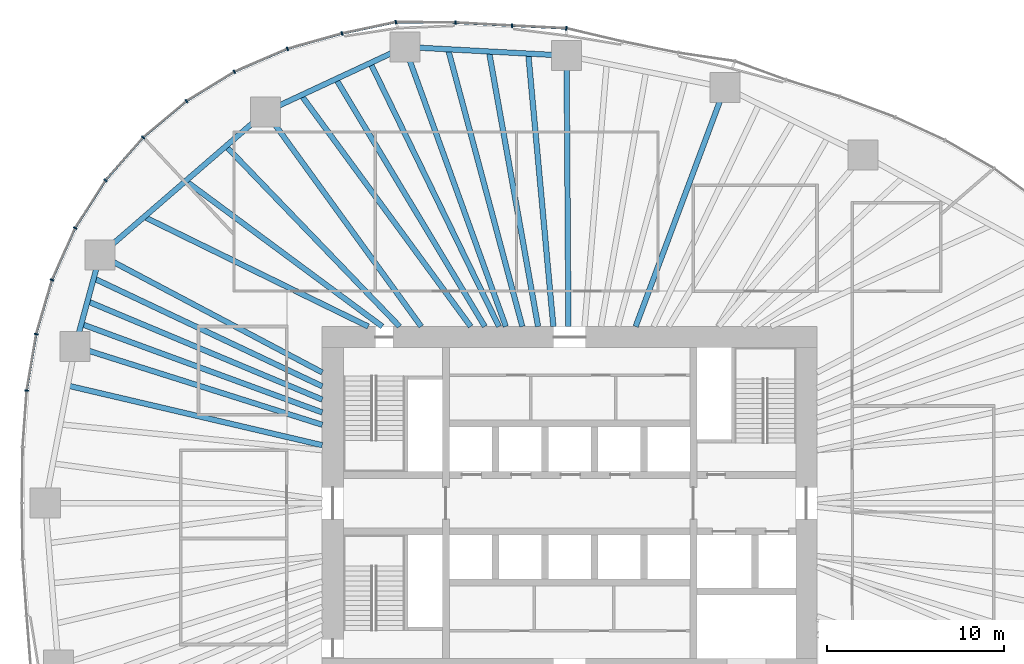
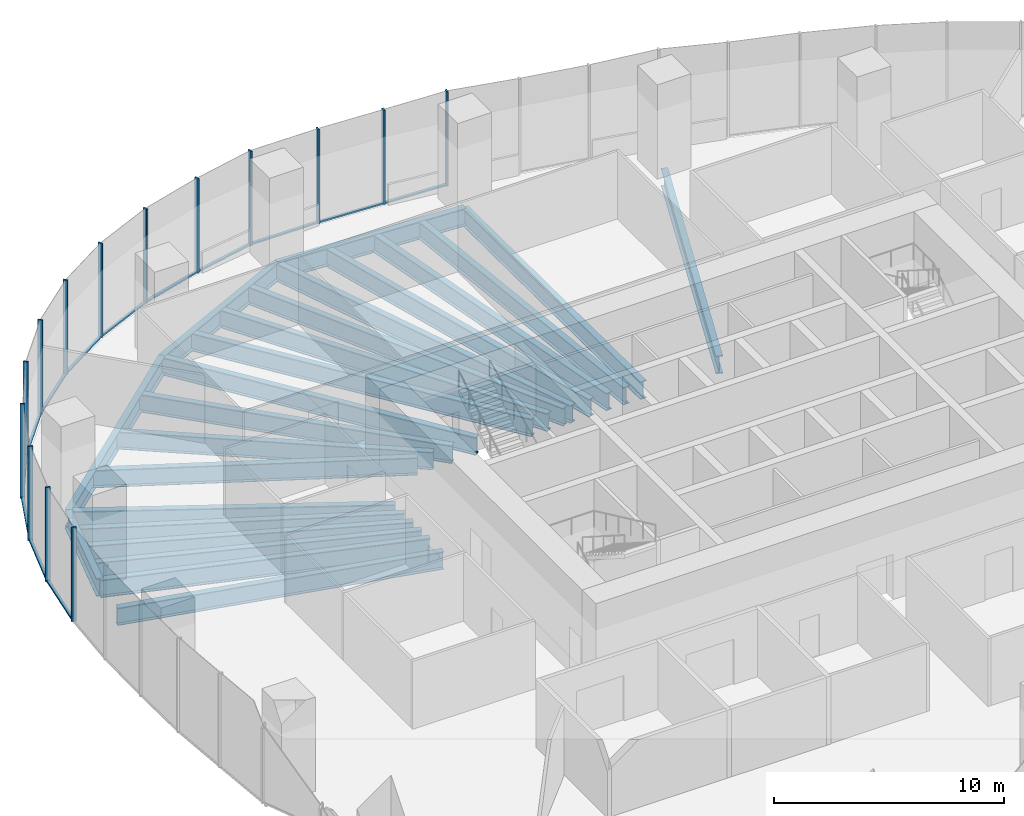
# One storey, part 5 of 20: 27 members, 23 beams, 5 elements without a shape of their own.
"""IFC4 building model written with IfcOpenShell, lengths in metres."""

from ifc_helpers import new_model, si_unit, direction, frame, origin, origin_2d, place, context, subcontext, project, spatial, rectangle, i_section, extrude, material, material_profile, profile_set, type_object, element, aggregate, save


model = new_model("IFC4")

# Units and contexts
model_context = context("Model", 3, precision=1e-05, world=origin(), true_north=direction((0.0, 1.0)))
body_context = subcontext(model_context, "Body", "Model", "MODEL_VIEW")
ifc_project = project(units=[si_unit("LENGTHUNIT", "METRE"), si_unit("AREAUNIT", "SQUARE_METRE"), si_unit("VOLUMEUNIT", "CUBIC_METRE"), si_unit("PLANEANGLEUNIT", "RADIAN"), si_unit("MASSUNIT", "GRAM", prefix="KILO")], contexts=[model_context])

# Site, building, storey
site_placement = place(None, origin())
site = spatial("IfcSite", under=ifc_project, at=site_placement, CompositionType="ELEMENT")
building_placement = place(site_placement, origin())
building = spatial("IfcBuilding", under=site, at=building_placement, Name="Ghaith Harvest Tower", CompositionType="ELEMENT")
storey_placement = place(building_placement, frame((0.0, 0.0, 65.0)))
storey = spatial("IfcBuildingStorey", under=building, at=storey_placement, Name="L13", CompositionType="ELEMENT", Elevation=65.0)

# Curtain wall, members
ifc_material_1 = material(Name="Black anodised aluminium and fritted glass", Category="aluminium")
curtain_wall_type = type_object("IfcCurtainWallType", Name="CW-F CURTAIN WALL", PredefinedType="NOTDEFINED", material=ifc_material_1)
curtain_wall_1_placement = place(storey_placement, origin())
curtain_wall_1 = element("IfcCurtainWall", 1, at=curtain_wall_1_placement, inside=storey, type_object=curtain_wall_type, Name="Curtain wall CW-F bay 06 L13", PredefinedType="NOTDEFINED")
ifc_material_2 = material(Name="Aluminium, black anodised", Category="aluminium")
ifc_material_profile_1 = material_profile(ifc_material_2, rectangle(XDim=0.080078125, YDim=0.219970703125, at=origin_2d()), Name="CW-F MULLION 80x220")
ifc_profile_set_1 = profile_set([ifc_material_profile_1], Name="Aluminium, black anodised")
member_type_1 = type_object("IfcMemberType", Name="CW-F MULLION 80x220", PredefinedType="MULLION", material=ifc_profile_set_1)
member_1_placement = place(storey_placement, frame((-0.183837890625, 26.877197265625, 0.0), z_axis=(0.0, 0.0, 1.0), x_axis=(-0.98971187143, 0.143074845976, 0.0)))
member_1 = element("IfcMember", 2, at=member_1_placement, type_object=member_type_1, Name="CW-F mullion 1 bay 06 L13", PredefinedType="MULLION", context=body_context, shape_type="SweptSolid", body=[
    extrude(rectangle(XDim=0.080078125, YDim=0.219970703125, at=origin_2d()), origin(), (0.0, 0.0, 1.0), 5.0),
])
member_2_placement = place(storey_placement, frame((-3.261962890625, 27.02978515625, 0.0), z_axis=(0.0, 0.0, 1.0), x_axis=(-0.998666923291, 0.051617597049, 0.0)))
member_2 = element("IfcMember", 3, at=member_2_placement, type_object=member_type_1, Name="CW-F mullion 2 bay 06 L13", PredefinedType="MULLION", context=body_context, shape_type="SweptSolid", body=[
    extrude(rectangle(XDim=0.080078125, YDim=0.219970703125, at=origin_2d()), origin(), (0.0, 0.0, 1.0), 5.0),
])
member_3_placement = place(storey_placement, frame((-6.465087890625, 27.20166015625, 0.0), z_axis=(0.0, 0.0, 1.0), x_axis=(-0.999527102163, 0.030750155138, 0.0)))
member_3 = element("IfcMember", 4, at=member_3_placement, type_object=member_type_1, Name="CW-F mullion 3 bay 06 L13", PredefinedType="MULLION", context=body_context, shape_type="SweptSolid", body=[
    extrude(rectangle(XDim=0.080078125, YDim=0.219970703125, at=origin_2d()), origin(), (0.0, 0.0, 1.0), 5.0),
])

curtain_wall_2_placement = place(storey_placement, origin())
curtain_wall_2 = element("IfcCurtainWall", 5, at=curtain_wall_2_placement, inside=storey, type_object=curtain_wall_type, Name="Curtain wall CW-F bay 07 L13", PredefinedType="NOTDEFINED")
member_4_placement = place(storey_placement, frame((-9.835693359375, 27.232177734375, 0.0), z_axis=(0.0, 0.0, 1.0), x_axis=(-0.995408459337, -0.095718332001, 0.0)))
member_4 = element("IfcMember", 6, at=member_4_placement, type_object=member_type_1, Name="CW-F mullion 1 bay 07 L13", PredefinedType="MULLION", context=body_context, shape_type="SweptSolid", body=[
    extrude(rectangle(XDim=0.080078125, YDim=0.219970703125, at=origin_2d()), origin(), (0.0, 0.0, 1.0), 5.0),
])
member_5_placement = place(storey_placement, frame((-12.880615234375, 26.5849609375, 0.0), z_axis=(0.0, 0.0, 1.0), x_axis=(-0.970824511782, -0.239791091, 0.0)))
member_5 = element("IfcMember", 7, at=member_5_placement, type_object=member_type_1, Name="CW-F mullion 2 bay 07 L13", PredefinedType="MULLION", context=body_context, shape_type="SweptSolid", body=[
    extrude(rectangle(XDim=0.080078125, YDim=0.219970703125, at=origin_2d()), origin(), (0.0, 0.0, 1.0), 5.0),
])
member_6_placement = place(storey_placement, frame((-15.97119140625, 25.716552734375, 0.0), z_axis=(0.0, 0.0, 1.0), x_axis=(-0.942293550527, -0.334787790451, 0.0)))
member_6 = element("IfcMember", 8, at=member_6_placement, type_object=member_type_1, Name="CW-F mullion 3 bay 07 L13", PredefinedType="MULLION", context=body_context, shape_type="SweptSolid", body=[
    extrude(rectangle(XDim=0.080078125, YDim=0.219970703125, at=origin_2d()), origin(), (0.0, 0.0, 1.0), 5.0),
])

curtain_wall_3_placement = place(storey_placement, origin())
curtain_wall_3 = element("IfcCurtainWall", 9, at=curtain_wall_3_placement, inside=storey, type_object=curtain_wall_type, Name="Curtain wall CW-F bay 08 L13", PredefinedType="NOTDEFINED")
member_7_placement = place(storey_placement, frame((-18.96728515625, 24.42236328125, 0.0), z_axis=(0.0, 0.0, 1.0), x_axis=(-0.887912253252, -0.460012859086, 0.0)))
member_7 = element("IfcMember", 10, at=member_7_placement, type_object=member_type_1, Name="CW-F mullion 1 bay 08 L13", PredefinedType="MULLION", context=body_context, shape_type="SweptSolid", body=[
    extrude(rectangle(XDim=0.080078125, YDim=0.219970703125, at=origin_2d()), origin(), (0.0, 0.0, 1.0), 5.0),
])
member_8_placement = place(storey_placement, frame((-21.681640625, 22.758056640625, 0.0), z_axis=(0.0, 0.0, 1.0), x_axis=(-0.811400750439, -0.584490224202, 0.0)))
member_8 = element("IfcMember", 11, at=member_8_placement, type_object=member_type_1, Name="CW-F mullion 2 bay 08 L13", PredefinedType="MULLION", context=body_context, shape_type="SweptSolid", body=[
    extrude(rectangle(XDim=0.080078125, YDim=0.219970703125, at=origin_2d()), origin(), (0.0, 0.0, 1.0), 5.0),
])
member_9_placement = place(storey_placement, frame((-24.139404296875, 20.696533203125, 0.0), z_axis=(0.0, 0.0, 1.0), x_axis=(-0.714663248213, -0.699468685256, 0.0)))
member_9 = element("IfcMember", 12, at=member_9_placement, type_object=member_type_1, Name="CW-F mullion 3 bay 08 L13", PredefinedType="MULLION", context=body_context, shape_type="SweptSolid", body=[
    extrude(rectangle(XDim=0.080078125, YDim=0.219970703125, at=origin_2d()), origin(), (0.0, 0.0, 1.0), 5.0),
])

curtain_wall_4_placement = place(storey_placement, origin())
curtain_wall_4 = element("IfcCurtainWall", 13, at=curtain_wall_4_placement, inside=storey, type_object=curtain_wall_type, Name="Curtain wall CW-F bay 09 L13", PredefinedType="NOTDEFINED")
member_10_placement = place(storey_placement, frame((-26.26318359375, 18.274169921875, 0.0), z_axis=(0.0, 0.0, 1.0), x_axis=(-0.599861600644, -0.800103780814, 0.0)))
member_10 = element("IfcMember", 14, at=member_10_placement, type_object=member_type_1, Name="CW-F mullion 1 bay 09 L13", PredefinedType="MULLION", context=body_context, shape_type="SweptSolid", body=[
    extrude(rectangle(XDim=0.080078125, YDim=0.219970703125, at=origin_2d()), origin(), (0.0, 0.0, 1.0), 5.0),
])
member_11_placement = place(storey_placement, frame((-27.986328125, 15.5654296875, 0.0), z_axis=(0.0, 0.0, 1.0), x_axis=(-0.473265082758, -0.880920065297, 0.0)))
member_11 = element("IfcMember", 15, at=member_11_placement, type_object=member_type_1, Name="CW-F mullion 2 bay 09 L13", PredefinedType="MULLION", context=body_context, shape_type="SweptSolid", body=[
    extrude(rectangle(XDim=0.080078125, YDim=0.219970703125, at=origin_2d()), origin(), (0.0, 0.0, 1.0), 5.0),
])
member_12_placement = place(storey_placement, frame((-29.29248046875, 12.63525390625, 0.0), z_axis=(0.0, 0.0, 1.0), x_axis=(-0.344618322502, -0.938742889079, 0.0)))
member_12 = element("IfcMember", 16, at=member_12_placement, type_object=member_type_1, Name="CW-F mullion 3 bay 09 L13", PredefinedType="MULLION", context=body_context, shape_type="SweptSolid", body=[
    extrude(rectangle(XDim=0.080078125, YDim=0.219970703125, at=origin_2d()), origin(), (0.0, 0.0, 1.0), 5.0),
])

curtain_wall_5_placement = place(storey_placement, origin())
curtain_wall_5 = element("IfcCurtainWall", 17, at=curtain_wall_5_placement, inside=storey, type_object=curtain_wall_type, Name="Curtain wall CW-F bay 10 L13", PredefinedType="NOTDEFINED")
member_13_placement = place(storey_placement, frame((-30.1884765625, 9.567138671875, 0.0), z_axis=(0.0, 0.0, 1.0), x_axis=(-0.222967363645, -0.97482590997, 0.0)))
member_13 = element("IfcMember", 18, at=member_13_placement, type_object=member_type_1, Name="CW-F mullion 1 bay 10 L13", PredefinedType="MULLION", context=body_context, shape_type="SweptSolid", body=[
    extrude(rectangle(XDim=0.080078125, YDim=0.219970703125, at=origin_2d()), origin(), (0.0, 0.0, 1.0), 5.0),
])
member_14_placement = place(storey_placement, frame((-30.724365234375, 6.37548828125, 0.0), z_axis=(0.0, 0.0, 1.0), x_axis=(-0.119352816132, -0.99285190501, 0.0)))
member_14 = element("IfcMember", 19, at=member_14_placement, type_object=member_type_1, Name="CW-F mullion 2 bay 10 L13", PredefinedType="MULLION", context=body_context, shape_type="SweptSolid", body=[
    extrude(rectangle(XDim=0.080078125, YDim=0.219970703125, at=origin_2d()), origin(), (0.0, 0.0, 1.0), 5.0),
])

# Member
ifc_material_3 = material(Name="Aluminium, black anodised", Category="aluminium")
ifc_material_profile_2 = material_profile(ifc_material_3, rectangle(XDim=0.139892578125, YDim=0.080078125, at=origin_2d()), Name="CW-F TRANSOM 140x80")
ifc_profile_set_2 = profile_set([ifc_material_profile_2], Name="Aluminium, black anodised")
member_type_2 = type_object("IfcMemberType", Name="CW-F TRANSOM 140x80", PredefinedType="USERDEFINED", material=ifc_profile_set_2)
member_15_placement = place(storey_placement, frame((-0.223876953125, 26.879150390625, 0.0400390625), z_axis=(-0.998772539109, 0.049531960612, 0.0), x_axis=(-0.049531960612, -0.998772539109, 0.0)))
member_15 = element("IfcMember", 20, at=member_15_placement, type_object=member_type_2, Name="CW-F transom 1 bay 06 L13", ObjectType="TRANSOM", PredefinedType="USERDEFINED", context=body_context, shape_type="SweptSolid", body=[
    extrude(rectangle(XDim=0.139892578125, YDim=0.080078125, at=origin_2d()), origin(), (0.0, 0.0, 1.0), 3.001708984375),
])

member_16_placement = place(storey_placement, frame((-3.3017578125, 27.031982421875, 0.0400390625), z_axis=(-0.99856142387, 0.053619798202, 0.0), x_axis=(-0.053619798202, -0.99856142387, 0.0)))
member_16 = element("IfcMember", 21, at=member_16_placement, type_object=member_type_2, Name="CW-F transom 2 bay 06 L13", ObjectType="TRANSOM", PredefinedType="USERDEFINED", context=body_context, shape_type="SweptSolid", body=[
    extrude(rectangle(XDim=0.139892578125, YDim=0.080078125, at=origin_2d()), origin(), (0.0, 0.0, 1.0), 3.1279296875),
])

member_17_placement = place(storey_placement, frame((-6.505126953125, 27.2021484375, 0.0400390625), z_axis=(-0.999959703847, 0.008977231352, 0.0), x_axis=(-0.008977231352, -0.999959703847, 0.0)))
member_17 = element("IfcMember", 22, at=member_17_placement, type_object=member_type_2, Name="CW-F transom 3 bay 06 L13", ObjectType="TRANSOM", PredefinedType="USERDEFINED", context=body_context, shape_type="SweptSolid", body=[
    extrude(rectangle(XDim=0.139892578125, YDim=0.080078125, at=origin_2d()), origin(), (0.0, 0.0, 1.0), 3.290771484375),
])

aggregate(curtain_wall_1, [member_1, member_15, member_2, member_16, member_3, member_17])

member_18_placement = place(storey_placement, frame((-9.874755859375, 27.2236328125, 0.0400390625), z_axis=(-0.978160283029, -0.207852016359, 0.0), x_axis=(0.207852016359, -0.978160283029, 0.0)))
member_18 = element("IfcMember", 23, at=member_18_placement, type_object=member_type_2, Name="CW-F transom 1 bay 07 L13", ObjectType="TRANSOM", PredefinedType="USERDEFINED", context=body_context, shape_type="SweptSolid", body=[
    extrude(rectangle(XDim=0.139892578125, YDim=0.080078125, at=origin_2d()), origin(), (0.0, 0.0, 1.0), 3.03271484375),
])

member_19_placement = place(storey_placement, frame((-12.9189453125, 26.573974609375, 0.0400390625), z_axis=(-0.962727128991, -0.270474536888, 0.0), x_axis=(0.270474536888, -0.962727128991, 0.0)))
member_19 = element("IfcMember", 24, at=member_19_placement, type_object=member_type_2, Name="CW-F transom 2 bay 07 L13", ObjectType="TRANSOM", PredefinedType="USERDEFINED", context=body_context, shape_type="SweptSolid", body=[
    extrude(rectangle(XDim=0.139892578125, YDim=0.080078125, at=origin_2d()), origin(), (0.0, 0.0, 1.0), 3.13037109375),
])

member_20_placement = place(storey_placement, frame((-16.008056640625, 25.70068359375, 0.0400390625), z_axis=(-0.9180027124, -0.396574104079, 0.0), x_axis=(0.396574104079, -0.9180027124, 0.0)))
member_20 = element("IfcMember", 25, at=member_20_placement, type_object=member_type_2, Name="CW-F transom 3 bay 07 L13", ObjectType="TRANSOM", PredefinedType="USERDEFINED", context=body_context, shape_type="SweptSolid", body=[
    extrude(rectangle(XDim=0.139892578125, YDim=0.080078125, at=origin_2d()), origin(), (0.0, 0.0, 1.0), 3.183349609375),
])

aggregate(curtain_wall_2, [member_4, member_18, member_5, member_19, member_6, member_20])

member_21_placement = place(storey_placement, frame((-19.001220703125, 24.4013671875, 0.0400390625), z_axis=(-0.852561687195, -0.522626606219, 0.0), x_axis=(0.522626606219, -0.852561687195, 0.0)))
member_21 = element("IfcMember", 26, at=member_21_placement, type_object=member_type_2, Name="CW-F transom 1 bay 08 L13", ObjectType="TRANSOM", PredefinedType="USERDEFINED", context=body_context, shape_type="SweptSolid", body=[
    extrude(rectangle(XDim=0.139892578125, YDim=0.080078125, at=origin_2d()), origin(), (0.0, 0.0, 1.0), 3.104248046875),
])

member_22_placement = place(storey_placement, frame((-21.71240234375, 22.732421875, 0.0400390625), z_axis=(-0.766144434184, -0.642668426149, 0.0), x_axis=(0.642668426149, -0.766144434184, 0.0)))
member_22 = element("IfcMember", 27, at=member_22_placement, type_object=member_type_2, Name="CW-F transom 2 bay 08 L13", ObjectType="TRANSOM", PredefinedType="USERDEFINED", context=body_context, shape_type="SweptSolid", body=[
    extrude(rectangle(XDim=0.139892578125, YDim=0.080078125, at=origin_2d()), origin(), (0.0, 0.0, 1.0), 3.1279296875),
])

member_23_placement = place(storey_placement, frame((-24.165771484375, 20.66650390625, 0.0400390625), z_axis=(-0.65923052982, -0.751940894322, 0.0), x_axis=(0.751940894322, -0.65923052982, 0.0)))
member_23 = element("IfcMember", 28, at=member_23_placement, type_object=member_type_2, Name="CW-F transom 3 bay 08 L13", ObjectType="TRANSOM", PredefinedType="USERDEFINED", context=body_context, shape_type="SweptSolid", body=[
    extrude(rectangle(XDim=0.139892578125, YDim=0.080078125, at=origin_2d()), origin(), (0.0, 0.0, 1.0), 3.1416015625),
])

aggregate(curtain_wall_3, [member_7, member_21, member_8, member_22, member_9, member_23])

member_24_placement = place(storey_placement, frame((-26.28466796875, 18.240234375, 0.0400390625), z_axis=(-0.536754366643, -0.843738555412, 0.0), x_axis=(0.843738555412, -0.536754366643, 0.0)))
member_24 = element("IfcMember", 29, at=member_24_placement, type_object=member_type_2, Name="CW-F transom 1 bay 09 L13", ObjectType="TRANSOM", PredefinedType="USERDEFINED", context=body_context, shape_type="SweptSolid", body=[
    extrude(rectangle(XDim=0.139892578125, YDim=0.080078125, at=origin_2d()), origin(), (0.0, 0.0, 1.0), 3.13037109375),
])

member_25_placement = place(storey_placement, frame((-28.002685546875, 15.52880859375, 0.0400390625), z_axis=(-0.407123143204, -0.913373278714, 0.0), x_axis=(0.913373278714, -0.407123143204, 0.0)))
member_25 = element("IfcMember", 30, at=member_25_placement, type_object=member_type_2, Name="CW-F transom 2 bay 09 L13", ObjectType="TRANSOM", PredefinedType="USERDEFINED", context=body_context, shape_type="SweptSolid", body=[
    extrude(rectangle(XDim=0.139892578125, YDim=0.080078125, at=origin_2d()), origin(), (0.0, 0.0, 1.0), 3.1279296875),
])

member_26_placement = place(storey_placement, frame((-29.3037109375, 12.596923828125, 0.0400390625), z_axis=(-0.280324903873, -0.959905176707, 0.0), x_axis=(0.959905176707, -0.280324903873, 0.0)))
member_26 = element("IfcMember", 31, at=member_26_placement, type_object=member_type_2, Name="CW-F transom 3 bay 09 L13", ObjectType="TRANSOM", PredefinedType="USERDEFINED", context=body_context, shape_type="SweptSolid", body=[
    extrude(rectangle(XDim=0.139892578125, YDim=0.080078125, at=origin_2d()), origin(), (0.0, 0.0, 1.0), 3.1162109375),
])

aggregate(curtain_wall_4, [member_10, member_24, member_11, member_25, member_12, member_26])

member_27_placement = place(storey_placement, frame((-30.195068359375, 9.52783203125, 0.0400390625), z_axis=(-0.165527763099, -0.986205130611, 0.0), x_axis=(0.986205130611, -0.165527763099, 0.0)))
member_27 = element("IfcMember", 32, at=member_27_placement, type_object=member_type_2, Name="CW-F transom 1 bay 10 L13", ObjectType="TRANSOM", PredefinedType="USERDEFINED", context=body_context, shape_type="SweptSolid", body=[
    extrude(rectangle(XDim=0.139892578125, YDim=0.080078125, at=origin_2d()), origin(), (0.0, 0.0, 1.0), 3.15625),
])

aggregate(curtain_wall_5, [member_13, member_27, member_14])

# Beams
ifc_material_4 = material(Name="Steel ASTM A992 Grade 50", Category="steel")
ifc_material_profile_3 = material_profile(ifc_material_4, i_section(OverallWidth=0.306884765625, OverallDepth=0.94189453125, WebThickness=0.022216796875, FlangeThickness=0.039794921875, at=origin_2d()), Name="W920X345")
ifc_profile_set_3 = profile_set([ifc_material_profile_3], Name="Steel ASTM A992 Grade 50")
beam_type_1 = type_object("IfcBeamType", Name="E920-345 W920X345", PredefinedType="SPANDREL", material=ifc_profile_set_3)
beam_1_placement = place(storey_placement, frame((-0.173095703125, 25.326904296875, -0.6708984375), z_axis=(-0.998545840532, 0.053909223293, 0.0), x_axis=(-0.053909223293, -0.998545840532, 0.0)))
element("IfcBeam", 33, at=beam_1_placement, inside=storey, type_object=beam_type_1, Name="Edge beam E06 L13", PredefinedType="SPANDREL", context=body_context, shape_type="SweptSolid", body=[
    extrude(i_section(OverallWidth=0.306884765625, OverallDepth=0.94189453125, WebThickness=0.022216796875, FlangeThickness=0.039794921875, at=origin_2d()), origin(), (0.0, 0.0, 1.0), 9.166259765625),
])
beam_2_placement = place(storey_placement, frame((-9.325927734375, 25.821044921875, -0.6708984375), z_axis=(-0.906373259523, -0.422477827137, 0.0), x_axis=(0.422477827137, -0.906373259523, 0.0)))
element("IfcBeam", 34, at=beam_2_placement, inside=storey, type_object=beam_type_1, Name="Edge beam E07 L13", PredefinedType="SPANDREL", context=body_context, shape_type="SweptSolid", body=[
    extrude(i_section(OverallWidth=0.306884765625, OverallDepth=0.94189453125, WebThickness=0.022216796875, FlangeThickness=0.039794921875, at=origin_2d()), origin(), (0.0, 0.0, 1.0), 8.689453125),
])
beam_3_placement = place(storey_placement, frame((-17.201904296875, 22.14990234375, -0.6708984375), z_axis=(-0.756392158274, -0.654118416574, 0.0), x_axis=(0.654118416574, -0.756392158274, 0.0)))
element("IfcBeam", 35, at=beam_3_placement, inside=storey, type_object=beam_type_1, Name="Edge beam E08 L13", PredefinedType="SPANDREL", context=body_context, shape_type="SweptSolid", body=[
    extrude(i_section(OverallWidth=0.306884765625, OverallDepth=0.94189453125, WebThickness=0.022216796875, FlangeThickness=0.039794921875, at=origin_2d()), origin(), (0.0, 0.0, 1.0), 12.38916015625),
])
beam_4_placement = place(storey_placement, frame((-26.572998046875, 14.0458984375, -0.6708984375), z_axis=(-0.262724740433, -0.964870825947, 0.0), x_axis=(0.964870825947, -0.262724740433, 0.0)))
element("IfcBeam", 36, at=beam_4_placement, inside=storey, type_object=beam_type_1, Name="Edge beam E09 L13", PredefinedType="SPANDREL", context=body_context, shape_type="SweptSolid", body=[
    extrude(i_section(OverallWidth=0.306884765625, OverallDepth=0.94189453125, WebThickness=0.022216796875, FlangeThickness=0.039794921875, at=origin_2d()), origin(), (0.0, 0.0, 1.0), 5.366455078125),
])
ifc_material_5 = material(Name="Steel ASTM A992 Grade 50", Category="steel")
ifc_material_profile_4 = material_profile(ifc_material_5, i_section(OverallWidth=0.306884765625, OverallDepth=0.94189453125, WebThickness=0.022216796875, FlangeThickness=0.039794921875, at=origin_2d()), Name="W920X345")
ifc_profile_set_4 = profile_set([ifc_material_profile_4], Name="Steel ASTM A992 Grade 50")
beam_type_2 = type_object("IfcBeamType", Name="G920-345 W920X345", PredefinedType="BEAM", material=ifc_profile_set_4)
beam_5_placement = place(storey_placement, frame((3.73828125, 10.0, -0.6708984375), z_axis=(0.350150596156, 0.936693418367, 0.0), x_axis=(-0.936693418367, 0.350150596156, 0.0)))
element("IfcBeam", 37, at=beam_5_placement, inside=storey, type_object=beam_type_2, Name="Radial girder G05 L13", PredefinedType="BEAM", context=body_context, shape_type="SweptSolid", body=[
    extrude(i_section(OverallWidth=0.306884765625, OverallDepth=0.94189453125, WebThickness=0.022216796875, FlangeThickness=0.039794921875, at=origin_2d()), origin(), (0.0, 0.0, 1.0), 14.44140625),
])
beam_6_placement = place(storey_placement, frame((-0.068359375, 10.0, -0.6708984375), z_axis=(-0.006833335732, 0.999976652489, 0.0), x_axis=(-0.999976652489, -0.006833335732, 0.0)))
element("IfcBeam", 38, at=beam_6_placement, inside=storey, type_object=beam_type_2, Name="Radial girder G06 L13", PredefinedType="BEAM", context=body_context, shape_type="SweptSolid", body=[
    extrude(i_section(OverallWidth=0.306884765625, OverallDepth=0.94189453125, WebThickness=0.022216796875, FlangeThickness=0.039794921875, at=origin_2d()), origin(), (0.0, 0.0, 1.0), 15.3271484375),
])
beam_7_placement = place(storey_placement, frame((-3.61181640625, 10.0, -0.6708984375), z_axis=(-0.339694751271, 0.940535738799, 0.0), x_axis=(-0.940535738799, -0.339694751271, 0.0)))
element("IfcBeam", 39, at=beam_7_placement, inside=storey, type_object=beam_type_2, Name="Radial girder G07 L13", PredefinedType="BEAM", context=body_context, shape_type="SweptSolid", body=[
    extrude(i_section(OverallWidth=0.306884765625, OverallDepth=0.94189453125, WebThickness=0.022216796875, FlangeThickness=0.039794921875, at=origin_2d()), origin(), (0.0, 0.0, 1.0), 16.8212890625),
])
beam_8_placement = place(storey_placement, frame((-8.39990234375, 10.0, -0.6708984375), z_axis=(-0.586675813287, 0.809821887889, 0.0), x_axis=(-0.809821887889, -0.586675813287, 0.0)))
element("IfcBeam", 40, at=beam_8_placement, inside=storey, type_object=beam_type_2, Name="Radial girder G08 L13", PredefinedType="BEAM", context=body_context, shape_type="SweptSolid", body=[
    extrude(i_section(OverallWidth=0.306884765625, OverallDepth=0.94189453125, WebThickness=0.022216796875, FlangeThickness=0.039794921875, at=origin_2d()), origin(), (0.0, 0.0, 1.0), 15.003173828125),
])
beam_9_placement = place(storey_placement, frame((-14.0, 7.39990234375, -0.6708984375), z_axis=(-0.88408713845, 0.467322085533, 0.0), x_axis=(-0.467322085533, -0.88408713845, 0.0)))
element("IfcBeam", 41, at=beam_9_placement, inside=storey, type_object=beam_type_2, Name="Radial girder G09 L13", PredefinedType="BEAM", context=body_context, shape_type="SweptSolid", body=[
    extrude(i_section(OverallWidth=0.306884765625, OverallDepth=0.94189453125, WebThickness=0.022216796875, FlangeThickness=0.039794921875, at=origin_2d()), origin(), (0.0, 0.0, 1.0), 14.221435546875),
])
beam_10_placement = place(storey_placement, frame((-14.0, 4.43701171875, -0.6708984375), z_axis=(-0.953283605796, 0.302076756671, 0.0), x_axis=(-0.302076756671, -0.953283605796, 0.0)))
element("IfcBeam", 42, at=beam_10_placement, inside=storey, type_object=beam_type_2, Name="Radial girder G10 L13", PredefinedType="BEAM", context=body_context, shape_type="SweptSolid", body=[
    extrude(i_section(OverallWidth=0.306884765625, OverallDepth=0.94189453125, WebThickness=0.022216796875, FlangeThickness=0.039794921875, at=origin_2d()), origin(), (0.0, 0.0, 1.0), 14.668212890625),
])
ifc_material_6 = material(Name="Steel ASTM A992 Grade 50", Category="steel")
ifc_material_profile_5 = material_profile(ifc_material_6, i_section(OverallWidth=0.31005859375, OverallDepth=0.927001953125, WebThickness=0.019287109375, FlangeThickness=0.031982421875, at=origin_2d()), Name="W920X289")
ifc_profile_set_5 = profile_set([ifc_material_profile_5], Name="Steel ASTM A992 Grade 50")
beam_type_3 = type_object("IfcBeamType", Name="J920-289 W920X289", PredefinedType="JOIST", material=ifc_profile_set_5)
beam_11_placement = place(storey_placement, frame((-0.92041015625, 10.0, -0.66357421875), z_axis=(-0.091647013776, 0.995791556936, 0.0), x_axis=(-0.995791556936, -0.091647013776, 0.0)))
element("IfcBeam", 43, at=beam_11_placement, inside=storey, type_object=beam_type_3, Name="Joist J06.1 L13", PredefinedType="JOIST", context=body_context, shape_type="SweptSolid", body=[
    extrude(i_section(OverallWidth=0.31005859375, OverallDepth=0.927001953125, WebThickness=0.019287109375, FlangeThickness=0.031982421875, at=origin_2d()), origin(), (0.0, 0.0, 1.0), 15.50927734375),
])
beam_12_placement = place(storey_placement, frame((-1.785888671875, 10.0, -0.66357421875), z_axis=(-0.175789035136, 0.984427861819, 0.0), x_axis=(-0.984427861819, -0.175789035136, 0.0)))
element("IfcBeam", 44, at=beam_12_placement, inside=storey, type_object=beam_type_3, Name="Joist J06.2 L13", PredefinedType="JOIST", context=body_context, shape_type="SweptSolid", body=[
    extrude(i_section(OverallWidth=0.31005859375, OverallDepth=0.927001953125, WebThickness=0.019287109375, FlangeThickness=0.031982421875, at=origin_2d()), origin(), (0.0, 0.0, 1.0), 15.810302734375),
])
beam_13_placement = place(storey_placement, frame((-10.60009765625, 10.0, -0.66357421875), z_axis=(-0.803663089107, 0.595084564752, 0.0), x_axis=(-0.595084564752, -0.803663089107, 0.0)))
element("IfcBeam", 45, at=beam_13_placement, inside=storey, type_object=beam_type_3, Name="Joist J08.2 L13", PredefinedType="JOIST", context=body_context, shape_type="SweptSolid", body=[
    extrude(i_section(OverallWidth=0.31005859375, OverallDepth=0.927001953125, WebThickness=0.019287109375, FlangeThickness=0.031982421875, at=origin_2d()), origin(), (0.0, 0.0, 1.0), 13.843505859375),
])
beam_14_placement = place(storey_placement, frame((-11.39990234375, 10.0, -0.66357421875), z_axis=(-0.898274832354, 0.439434096946, 0.0), x_axis=(-0.439434096946, -0.898274832354, 0.0)))
element("IfcBeam", 46, at=beam_14_placement, inside=storey, type_object=beam_type_3, Name="Joist J08.3 L13", PredefinedType="JOIST", context=body_context, shape_type="SweptSolid", body=[
    extrude(i_section(OverallWidth=0.31005859375, OverallDepth=0.927001953125, WebThickness=0.019287109375, FlangeThickness=0.031982421875, at=origin_2d()), origin(), (0.0, 0.0, 1.0), 14.114990234375),
])
beam_15_placement = place(storey_placement, frame((-14.0, 6.614990234375, -0.66357421875), z_axis=(-0.904153428261, 0.427207886354, 0.0), x_axis=(-0.427207886354, -0.904153428261, 0.0)))
element("IfcBeam", 47, at=beam_15_placement, inside=storey, type_object=beam_type_3, Name="Joist J09.1 L13", PredefinedType="JOIST", context=body_context, shape_type="SweptSolid", body=[
    extrude(i_section(OverallWidth=0.31005859375, OverallDepth=0.927001953125, WebThickness=0.019287109375, FlangeThickness=0.031982421875, at=origin_2d()), origin(), (0.0, 0.0, 1.0), 14.303466796875),
])
beam_16_placement = place(storey_placement, frame((-14.0, 5.862548828125, -0.66357421875), z_axis=(-0.922385943167, 0.38626955853, 0.0), x_axis=(-0.38626955853, -0.922385943167, 0.0)))
element("IfcBeam", 48, at=beam_16_placement, inside=storey, type_object=beam_type_3, Name="Joist J09.2 L13", PredefinedType="JOIST", context=body_context, shape_type="SweptSolid", body=[
    extrude(i_section(OverallWidth=0.31005859375, OverallDepth=0.927001953125, WebThickness=0.019287109375, FlangeThickness=0.031982421875, at=origin_2d()), origin(), (0.0, 0.0, 1.0), 14.404296875),
])
beam_17_placement = place(storey_placement, frame((-14.0, 5.137939453125, -0.66357421875), z_axis=(-0.93877541132, 0.344529718748, 0.0), x_axis=(-0.344529718748, -0.93877541132, 0.0)))
element("IfcBeam", 49, at=beam_17_placement, inside=storey, type_object=beam_type_3, Name="Joist J09.3 L13", PredefinedType="JOIST", context=body_context, shape_type="SweptSolid", body=[
    extrude(i_section(OverallWidth=0.31005859375, OverallDepth=0.927001953125, WebThickness=0.019287109375, FlangeThickness=0.031982421875, at=origin_2d()), origin(), (0.0, 0.0, 1.0), 14.525390625),
])
beam_18_placement = place(storey_placement, frame((-14.0, 3.280517578125, -0.66357421875), z_axis=(-0.973623012228, 0.228162727151, 0.0), x_axis=(-0.228162727151, -0.973623012228, 0.0)))
element("IfcBeam", 50, at=beam_18_placement, inside=storey, type_object=beam_type_3, Name="Joist J10.1 L13", PredefinedType="JOIST", context=body_context, shape_type="SweptSolid", body=[
    extrude(i_section(OverallWidth=0.31005859375, OverallDepth=0.927001953125, WebThickness=0.019287109375, FlangeThickness=0.031982421875, at=origin_2d()), origin(), (0.0, 0.0, 1.0), 14.795166015625),
])
ifc_material_7 = material(Name="Steel ASTM A992 Grade 50", Category="steel")
ifc_material_profile_6 = material_profile(ifc_material_7, i_section(OverallWidth=0.306884765625, OverallDepth=0.94189453125, WebThickness=0.022216796875, FlangeThickness=0.039794921875, at=origin_2d()), Name="W920X345")
ifc_profile_set_6 = profile_set([ifc_material_profile_6], Name="Steel ASTM A992 Grade 50")
beam_type_4 = type_object("IfcBeamType", Name="J920-345 W920X345", PredefinedType="JOIST", material=ifc_profile_set_6)
beam_19_placement = place(storey_placement, frame((-2.677978515625, 10.0, -0.6708984375), z_axis=(-0.258679482451, 0.965963211183, 0.0), x_axis=(-0.965963211183, -0.258679482451, 0.0)))
element("IfcBeam", 51, at=beam_19_placement, inside=storey, type_object=beam_type_4, Name="Joist J06.3 L13", PredefinedType="JOIST", context=body_context, shape_type="SweptSolid", body=[
    extrude(i_section(OverallWidth=0.306884765625, OverallDepth=0.94189453125, WebThickness=0.022216796875, FlangeThickness=0.039794921875, at=origin_2d()), origin(), (0.0, 0.0, 1.0), 16.24169921875),
])
beam_20_placement = place(storey_placement, frame((-4.0, 10.0, -0.6708984375), z_axis=(-0.438505380705, 0.898728563635, 0.0), x_axis=(-0.898728563635, -0.438505380705, 0.0)))
element("IfcBeam", 52, at=beam_20_placement, inside=storey, type_object=beam_type_4, Name="Joist J07.1 L13", PredefinedType="JOIST", context=body_context, shape_type="SweptSolid", body=[
    extrude(i_section(OverallWidth=0.306884765625, OverallDepth=0.94189453125, WebThickness=0.022216796875, FlangeThickness=0.039794921875, at=origin_2d()), origin(), (0.0, 0.0, 1.0), 16.592529296875),
])
beam_21_placement = place(storey_placement, frame((-4.800048828125, 10.0, -0.6708984375), z_axis=(-0.515358894704, 0.85697445099, 0.0), x_axis=(-0.85697445099, -0.515358894704, 0.0)))
element("IfcBeam", 53, at=beam_21_placement, inside=storey, type_object=beam_type_4, Name="Joist J07.2 L13", PredefinedType="JOIST", context=body_context, shape_type="SweptSolid", body=[
    extrude(i_section(OverallWidth=0.306884765625, OverallDepth=0.94189453125, WebThickness=0.022216796875, FlangeThickness=0.039794921875, at=origin_2d()), origin(), (0.0, 0.0, 1.0), 16.34228515625),
])
beam_22_placement = place(storey_placement, frame((-5.60009765625, 10.0, -0.6708984375), z_axis=(-0.591008736068, 0.806665155992, 0.0), x_axis=(-0.806665155992, -0.591008736068, 0.0)))
element("IfcBeam", 54, at=beam_22_placement, inside=storey, type_object=beam_type_4, Name="Joist J07.3 L13", PredefinedType="JOIST", context=body_context, shape_type="SweptSolid", body=[
    extrude(i_section(OverallWidth=0.306884765625, OverallDepth=0.94189453125, WebThickness=0.022216796875, FlangeThickness=0.039794921875, at=origin_2d()), origin(), (0.0, 0.0, 1.0), 16.22509765625),
])
beam_23_placement = place(storey_placement, frame((-9.626708984375, 10.0, -0.6708984375), z_axis=(-0.693535693616, 0.720422266231, 0.0), x_axis=(-0.720422266231, -0.693535693616, 0.0)))
element("IfcBeam", 55, at=beam_23_placement, inside=storey, type_object=beam_type_4, Name="Joist J08.1 L13", PredefinedType="JOIST", context=body_context, shape_type="SweptSolid", body=[
    extrude(i_section(OverallWidth=0.306884765625, OverallDepth=0.94189453125, WebThickness=0.022216796875, FlangeThickness=0.039794921875, at=origin_2d()), origin(), (0.0, 0.0, 1.0), 14.16552734375),
])

save(model, "model.ifc")
